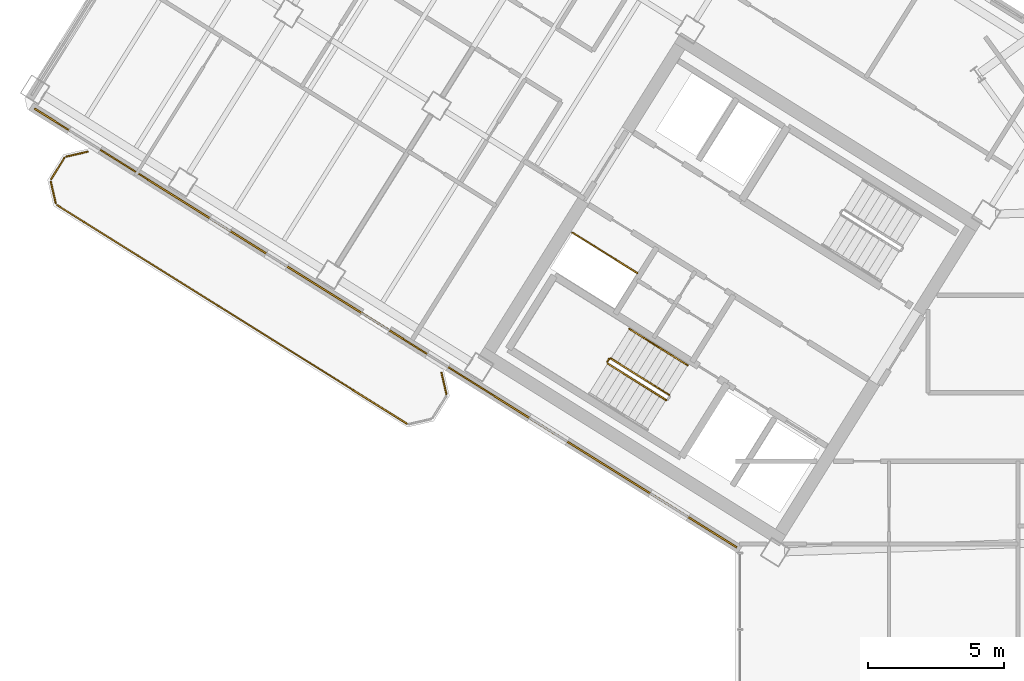
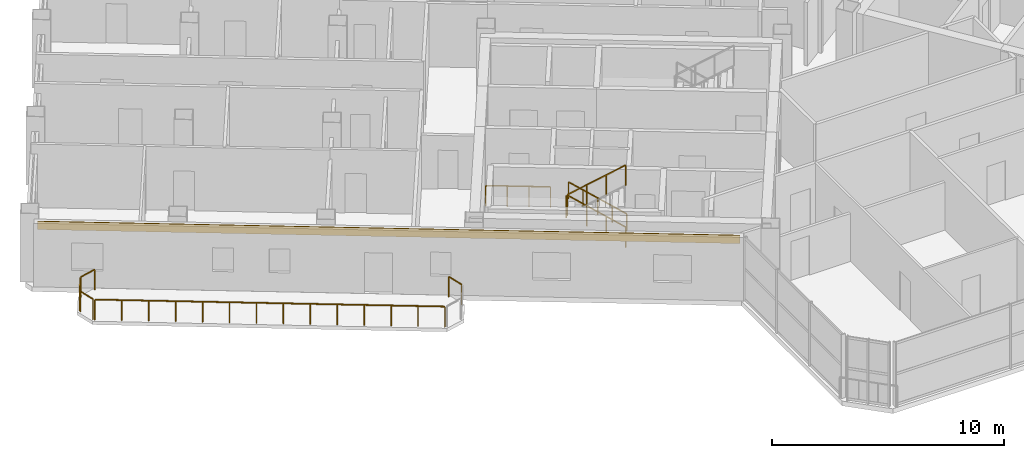
# One storey, part 18 of 21: 11 railings, 1 covering.
"""IFC4 building model written with IfcOpenShell, lengths in metres."""

import ifcopenshell
import ifcopenshell.guid

model = None  # the IFC model being written
_history = None  # IfcOwnerHistory: only IFC2X3 demands one
_inside = {}  # id of a spatial element -> (the spatial element, [elements in it])
_under = {}  # id of a project, library or spatial element -> (it, [spatial elements below it])
_declared = {}  # id of a project -> (the project, [libraries it declares])
_typed = {}  # id of a type object -> (the type object, [elements of that type])
_made_of = {}  # id of a material, layer set ... -> (it, [elements and type objects made of it])


def new_model(schema):
    """Start an empty IFC model of exactly this schema.

    Asked for "IFC4X3", IfcOpenShell would pick the latest addendum, in which some entities
    have other attributes; the version numbers below select the first issue.
    IFC2X3 requires an IfcOwnerHistory on every rooted entity: one is made here for all.
    """
    global model, _history
    if schema == "IFC4X3":
        model = ifcopenshell.file(schema_version=(4, 3, 0, 0))
    else:
        model = ifcopenshell.file(schema=schema)
    _inside.clear()
    _under.clear()
    _declared.clear()
    _typed.clear()
    _made_of.clear()
    _history = None
    if model.schema == "IFC2X3":
        org = make("IfcOrganization", Name="unknown")
        user = make(
            "IfcPersonAndOrganization",
            ThePerson=make("IfcPerson", FamilyName="unknown"),
            TheOrganization=org,
        )
        app = make(
            "IfcApplication",
            ApplicationDeveloper=org,
            Version="unknown",
            ApplicationFullName="unknown",
            ApplicationIdentifier="unknown",
        )
        _history = make(
            "IfcOwnerHistory",
            OwningUser=user,
            OwningApplication=app,
            ChangeAction="ADDED",
            CreationDate=0,
        )
    return model


def make(cls, **values):
    """One entity of the class cls with the attributes given. An attribute that is None is left unset."""
    return model.create_entity(
        cls, **{name: value for name, value in values.items() if value is not None}
    )


def rooted(cls, **values):
    """An entity with a GlobalId (a new one), such as an element, a storey or a relation."""
    return make(cls, GlobalId=ifcopenshell.guid.new(), OwnerHistory=_history, **values)


def si_unit(unit_type, name, prefix=None):
    """IfcSIUnit, for example si_unit("LENGTHUNIT", "METRE", prefix="MILLI")."""
    return make("IfcSIUnit", UnitType=unit_type, Prefix=prefix, Name=name)


def assignment(units):
    """IfcUnitAssignment: the units of a project."""
    return None if units is None else make("IfcUnitAssignment", Units=units)


def point(xyz):
    """IfcCartesianPoint."""
    return None if xyz is None else make("IfcCartesianPoint", Coordinates=xyz)


def direction(xyz):
    """IfcDirection."""
    return None if xyz is None else make("IfcDirection", DirectionRatios=xyz)


def frame(location, z_axis=None, x_axis=None):
    """IfcAxis2Placement3D, a coordinate frame: its origin and axes. An axis left out is left unset."""
    return make(
        "IfcAxis2Placement3D",
        Location=point(location),
        Axis=direction(z_axis),
        RefDirection=direction(x_axis),
    )


def frame_2d(location, x_axis=None):
    """IfcAxis2Placement2D, a coordinate frame in the plane: its origin and x axis."""
    return make(
        "IfcAxis2Placement2D", Location=point(location), RefDirection=direction(x_axis)
    )


def origin():
    """The frame at (0, 0, 0) with its axes left unset."""
    return frame((0.0, 0.0, 0.0))


def origin_2d():
    """The frame at (0, 0) in the plane with its x axis left unset."""
    return frame_2d((0.0, 0.0))


def place(relative_to, where):
    """IfcLocalPlacement: puts the frame where relative to a parent placement (None: the world)."""
    return make(
        "IfcLocalPlacement", PlacementRelTo=relative_to, RelativePlacement=where
    )


def context(
    kind, dimensions, precision=None, world=None, true_north=None, identifier=None
):
    """IfcGeometricRepresentationContext, for example the 3D "Model" context."""
    return make(
        "IfcGeometricRepresentationContext",
        ContextIdentifier=identifier,
        ContextType=kind,
        CoordinateSpaceDimension=dimensions,
        Precision=precision,
        WorldCoordinateSystem=world,
        TrueNorth=true_north,
    )


def subcontext(parent, identifier, kind, view, scale=None):
    """IfcGeometricRepresentationSubContext, for example "Body" below "Model"."""
    return make(
        "IfcGeometricRepresentationSubContext",
        ContextIdentifier=identifier,
        ContextType=kind,
        ParentContext=parent,
        TargetScale=scale,
        TargetView=view,
    )


def project(units=None, contexts=None):
    """IfcProject with its units and contexts."""
    return rooted(
        "IfcProject",
        Name="project",
        RepresentationContexts=contexts,
        UnitsInContext=assignment(units),
    )


def spatial(cls, under=None, at=None, **own):
    """A site, building, storey or space (cls), placed at a placement, below another one or the project."""
    s = rooted(cls, ObjectPlacement=at, **own)
    if under is not None:
        _under.setdefault(under.id(), (under, []))[1].append(s)
    return s


def profile(cls, at=None, kind="AREA", **sizes):
    """A parametric profile (cls). Its sizes go by their IFC names, for example OverallWidth=200.0."""
    return make(cls, ProfileType=kind, Position=at, **sizes)


def rectangle(**sizes):
    """IfcRectangleProfileDef."""
    return profile("IfcRectangleProfileDef", **sizes)


def extrude(swept, where, along, depth):
    """IfcExtrudedAreaSolid: the profile swept, set in the frame where, extruded along a direction by depth."""
    return make(
        "IfcExtrudedAreaSolid",
        SweptArea=swept,
        Position=where,
        ExtrudedDirection=direction(along),
        Depth=depth,
    )


def shape(context_of_items, identifier, shape_type, items):
    """IfcShapeRepresentation: the items that make up one representation, for example the "Body"."""
    return make(
        "IfcShapeRepresentation",
        ContextOfItems=context_of_items,
        RepresentationIdentifier=identifier,
        RepresentationType=shape_type,
        Items=items,
    )


def source(mapping_origin, context_of_items, identifier, shape_type, items):
    """IfcRepresentationMap: a shape defined once, which mapped items show again and again."""
    return make(
        "IfcRepresentationMap",
        MappingOrigin=mapping_origin,
        MappedRepresentation=shape(context_of_items, identifier, shape_type, items),
    )


def transform(
    local_origin,
    x_axis=None,
    y_axis=None,
    z_axis=None,
    scale=None,
    scale2=None,
    scale3=None,
    uniform=True,
):
    """IfcCartesianTransformationOperator3D, or its non-uniform kind. x_axis, y_axis, z_axis: its Axis1, 2, 3."""
    if uniform:
        return make(
            "IfcCartesianTransformationOperator3D",
            Axis1=direction(x_axis),
            Axis2=direction(y_axis),
            LocalOrigin=point(local_origin),
            Scale=scale,
            Axis3=direction(z_axis),
        )
    return make(
        "IfcCartesianTransformationOperator3DnonUniform",
        Axis1=direction(x_axis),
        Axis2=direction(y_axis),
        LocalOrigin=point(local_origin),
        Scale=scale,
        Axis3=direction(z_axis),
        Scale2=scale2,
        Scale3=scale3,
    )


def mapped(mapping_source, mapping_target):
    """IfcMappedItem: shows the shape of a source again, moved by a transform."""
    return make(
        "IfcMappedItem", MappingSource=mapping_source, MappingTarget=mapping_target
    )


def material(Name=None, Category=None):
    """IfcMaterial."""
    return make("IfcMaterial", Name=Name, Category=Category)


def layer(
    of_material, thickness, ventilated=None, Name=None, Category=None, Priority=None
):
    """IfcMaterialLayer: one layer of a wall or slab, of a material (None: an air gap)."""
    return make(
        "IfcMaterialLayer",
        Material=of_material,
        LayerThickness=thickness,
        IsVentilated=ventilated,
        Name=Name,
        Category=Category,
        Priority=Priority,
    )


def layer_set(layers, Name=None):
    """IfcMaterialLayerSet."""
    return make("IfcMaterialLayerSet", MaterialLayers=layers, LayerSetName=Name)


def made_of(thing, what):
    """Note that an element or type object is made of a material, layer set ...; save() writes the relation."""
    if what is not None:
        _made_of.setdefault(what.id(), (what, []))[1].append(thing)
    return thing


def type_object(cls, material=None, **own):
    """A type object (cls), such as IfcWallType, which elements share."""
    return made_of(rooted(cls, **own), material)


def element(
    cls,
    number,
    at=None,
    inside=None,
    cuts=None,
    type_object=None,
    material=None,
    context=None,
    identifier="Body",
    shape_type=None,
    held_by="IfcProductDefinitionShape",
    body=None,
    shapes=None,
    **own,
):
    """One element of the class cls, such as IfcWall. Its Tag is "e" and its number.

    at: its placement. inside: the storey or other place that contains it. cuts: it is an
    opening in that element (IfcRelVoidsElement). A single representation is given by context,
    identifier, shape_type and body (its items); several are given by shapes. held_by: the class
    of the entity that holds the representations. save() writes the other relations.
    """
    e = rooted(cls, Tag="e%d" % number, ObjectPlacement=at, **own)
    if body is not None:
        shapes = [shape(context, identifier, shape_type, body)]
    if shapes is not None:
        e.Representation = make(held_by, Representations=shapes)
    if inside is not None:
        _inside.setdefault(inside.id(), (inside, []))[1].append(e)
    if cuts is not None:
        rooted(
            "IfcRelVoidsElement", RelatingBuildingElement=cuts, RelatedOpeningElement=e
        )
    if type_object is not None:
        _typed.setdefault(type_object.id(), (type_object, []))[1].append(e)
    return made_of(e, material)


def aggregate(whole, parts):
    """IfcRelAggregates: a whole, such as a stair, and the parts it consists of."""
    return rooted("IfcRelAggregates", RelatingObject=whole, RelatedObjects=parts)


def save(model, path):
    """Write the relations noted so far, then the file.

    IfcRelAggregates (storeys below a building ...), IfcRelContainedInSpatialStructure (elements
    in a storey), IfcRelDefinesByType, IfcRelAssociatesMaterial and IfcRelDeclares: one each for
    every whole, place, type object, material and project.
    """
    for whole, parts in _under.values():
        aggregate(whole, parts)
    for where, things in _inside.values():
        rooted(
            "IfcRelContainedInSpatialStructure",
            RelatedElements=things,
            RelatingStructure=where,
        )
    for kind, things in _typed.values():
        rooted("IfcRelDefinesByType", RelatedObjects=things, RelatingType=kind)
    for what, things in _made_of.values():
        rooted("IfcRelAssociatesMaterial", RelatedObjects=things, RelatingMaterial=what)
    for by, libraries in _declared.values():
        rooted("IfcRelDeclares", RelatingContext=by, RelatedDefinitions=libraries)
    model.write(path)


model = new_model("IFC4")

# Units and contexts
model_context = context("Model", 3, precision=1e-05, world=origin(), true_north=direction((0.0, 1.0)))
body_context = subcontext(model_context, "Body", "Model", "MODEL_VIEW")
ifc_project = project(units=[si_unit("LENGTHUNIT", "METRE"), si_unit("AREAUNIT", "SQUARE_METRE"), si_unit("VOLUMEUNIT", "CUBIC_METRE"), si_unit("PLANEANGLEUNIT", "RADIAN"), si_unit("MASSUNIT", "GRAM", prefix="KILO")], contexts=[model_context])

# Site, building, storey
site_placement = place(None, origin())
site = spatial("IfcSite", under=ifc_project, at=site_placement, CompositionType="ELEMENT")
building_placement = place(site_placement, origin())
building = spatial("IfcBuilding", under=site, at=building_placement, Name="Tlacorven Tower", CompositionType="ELEMENT")
storey_placement = place(building_placement, frame((0.0, 0.0, 222.0)))
storey = spatial("IfcBuildingStorey", under=building, at=storey_placement, Name="L56", CompositionType="ELEMENT", Elevation=222.0)

# Railings
ifc_material_1 = material(Name="Aluminium and painted steel balustrade", Category="steel")
railing_type_1 = type_object("IfcRailingType", Name="RL-GRD-1100", PredefinedType="GUARDRAIL", material=ifc_material_1)
shared_shape_1 = source(origin(), body_context, "Body", "SweptSolid", [
    extrude(rectangle(XDim=0.048095703125, YDim=0.048095703125, at=origin_2d()), frame((0.0, 0.0, 1.076171875), z_axis=(-0.848091358275, 0.529850024081, 0.0), x_axis=(-0.529850024081, -0.848091358275, 0.0)), (0.0, 0.0, 1.0), 2.800048828125),
    extrude(rectangle(XDim=0.0419921875, YDim=0.0419921875, at=origin_2d()), origin(), (0.0, 0.0, 1.0), 1.052001953125),
    extrude(rectangle(XDim=0.0419921875, YDim=0.0419921875, at=origin_2d()), frame((-0.79150390625, 0.49462890625, 0.0)), (0.0, 0.0, 1.0), 1.052001953125),
    extrude(rectangle(XDim=0.0419921875, YDim=0.0419921875, at=origin_2d()), frame((-1.583251953125, 0.989013671875, 0.0)), (0.0, 0.0, 1.0), 1.052001953125),
    extrude(rectangle(XDim=0.0419921875, YDim=0.0419921875, at=origin_2d()), frame((-2.374755859375, 1.483642578125, 0.0)), (0.0, 0.0, 1.0), 1.052001953125),
])
railing_1_placement = place(storey_placement, frame((27.9912109375, 22.32080078125, 0.0)))
element("IfcRailing", 1, at=railing_1_placement, inside=storey, type_object=railing_type_1, Name="L56 Electrical Riser W Shaft Guard 1", PredefinedType="GUARDRAIL", context=body_context, shape_type="MappedRepresentation", body=[
    mapped(shared_shape_1, transform((0.0, 0.0, 0.0), scale=1.0)),
])
railing_type_2 = type_object("IfcRailingType", Name="RL-BAL-1100", PredefinedType="BALUSTRADE", material=ifc_material_1)
shared_shape_2 = source(origin(), body_context, "Body", "SweptSolid", [
    extrude(rectangle(XDim=0.048095703125, YDim=0.048095703125, at=origin_2d()), frame((0.0, 0.0, 1.076171875), z_axis=(0.225058334816, -0.974345290916, 0.0), x_axis=(0.974345290916, 0.225058334816, 0.0)), (0.0, 0.0, 1.0), 0.80712890625),
    extrude(rectangle(XDim=0.0419921875, YDim=0.0419921875, at=origin_2d()), origin(), (0.0, 0.0, 1.0), 1.052001953125),
    extrude(rectangle(XDim=0.0419921875, YDim=0.0419921875, at=origin_2d()), frame((0.181640625, -0.786376953125, 0.0)), (0.0, 0.0, 1.0), 1.052001953125),
])
railing_2_placement = place(storey_placement, frame((20.809814453125, 18.671142578125, 0.0)))
element("IfcRailing", 2, at=railing_2_placement, inside=storey, type_object=railing_type_2, Name="BAL-L56-W-OUT Guard Railing 1", PredefinedType="BALUSTRADE", context=body_context, shape_type="MappedRepresentation", body=[
    mapped(shared_shape_2, transform((0.0, 0.0, 0.0), scale=1.0)),
])
shared_shape_3 = source(origin(), body_context, "Body", "SweptSolid", [
    extrude(rectangle(XDim=0.048095703125, YDim=0.048095703125, at=origin_2d()), frame((0.0, 0.0, 1.076171875), z_axis=(-0.225058334816, 0.974345290916, 0.0), x_axis=(-0.974345290916, -0.225058334816, 0.0)), (0.0, 0.0, 1.0), 0.80712890625),
    extrude(rectangle(XDim=0.0419921875, YDim=0.0419921875, at=origin_2d()), origin(), (0.0, 0.0, 1.0), 1.052001953125),
    extrude(rectangle(XDim=0.0419921875, YDim=0.0419921875, at=origin_2d()), frame((-0.181640625, 0.786376953125, 0.0)), (0.0, 0.0, 1.0), 1.052001953125),
])
railing_3_placement = place(storey_placement, frame((6.66650390625, 24.88623046875, 0.0)))
element("IfcRailing", 3, at=railing_3_placement, inside=storey, type_object=railing_type_2, Name="BAL-L56-W-OUT Guard Railing 5", PredefinedType="BALUSTRADE", context=body_context, shape_type="MappedRepresentation", body=[
    mapped(shared_shape_3, transform((0.0, 0.0, 0.0), scale=1.0)),
])
shared_shape_4 = source(origin(), body_context, "Body", "SweptSolid", [
    extrude(rectangle(XDim=0.048095703125, YDim=0.048095703125, at=origin_2d()), frame((0.0, 0.0, 1.076171875), z_axis=(0.974411586182, 0.224771129628, 0.0), x_axis=(-0.224771129628, 0.974411586182, 0.0)), (0.0, 0.0, 1.0), 0.80712890625),
    extrude(rectangle(XDim=0.0419921875, YDim=0.0419921875, at=origin_2d()), origin(), (0.0, 0.0, 1.0), 1.052001953125),
    extrude(rectangle(XDim=0.0419921875, YDim=0.0419921875, at=origin_2d()), frame((0.786376953125, 0.181396484375, 0.0)), (0.0, 0.0, 1.0), 1.052001953125),
])
railing_4_placement = place(storey_placement, frame((7.05859375, 26.591064453125, 0.0)))
element("IfcRailing", 4, at=railing_4_placement, inside=storey, type_object=railing_type_2, Name="BAL-L56-W-OUT Guard Railing 7", PredefinedType="BALUSTRADE", context=body_context, shape_type="MappedRepresentation", body=[
    mapped(shared_shape_4, transform((0.0, 0.0, 0.0), scale=1.0)),
])
shared_shape_5 = source(origin(), body_context, "Body", "SweptSolid", [
    extrude(rectangle(XDim=0.048095703125, YDim=0.048095703125, at=origin_2d()), frame((0.0, 0.0, 1.076171875), z_axis=(0.529998940003, 0.847998304005, 0.0), x_axis=(-0.847998304005, 0.529998940003, 0.0)), (0.0, 0.0, 1.0), 0.912109375),
    extrude(rectangle(XDim=0.0419921875, YDim=0.0419921875, at=origin_2d()), origin(), (0.0, 0.0, 1.0), 1.052001953125),
    extrude(rectangle(XDim=0.0419921875, YDim=0.0419921875, at=origin_2d()), frame((0.4833984375, 0.7734375, 0.0)), (0.0, 0.0, 1.0), 1.052001953125),
])
railing_5_placement = place(storey_placement, frame((6.5, 25.763916015625, 0.0)))
element("IfcRailing", 5, at=railing_5_placement, inside=storey, type_object=railing_type_2, Name="BAL-L56-W-OUT Guard Railing 6", PredefinedType="BALUSTRADE", context=body_context, shape_type="MappedRepresentation", body=[
    mapped(shared_shape_5, transform((0.0, 0.0, 0.0), scale=1.0)),
])

# Covering
ifc_material_2 = material(Name="Precast concrete C45/55", Category="concrete")
ifc_layer = layer(ifc_material_2, 0.06005859375)
ifc_layer_set = layer_set([ifc_layer], Name="Precast concrete C45/55")
covering_type = type_object("IfcCoveringType", Name="CV-CLD-TERC", PredefinedType="CLADDING", material=ifc_layer_set)
shared_shape_6 = source(origin(), body_context, "Body", "SweptSolid", [
    extrude(rectangle(XDim=30.35205078125, YDim=0.06005859375, at=origin_2d()), origin(), (0.0, 0.0, 1.0), 0.419921875),
])
covering_placement = place(storey_placement, frame((18.7626953125, 20.3046875, 2.929931640625), z_axis=(0.0, 0.0, 1.0), x_axis=(-0.848048152806, 0.529919173576, 0.0)))
element("IfcCovering", 6, at=covering_placement, inside=storey, type_object=covering_type, Name="L56 Masonry-Frame Spandrel Cladding 1", PredefinedType="CLADDING", context=body_context, shape_type="MappedRepresentation", body=[
    mapped(shared_shape_6, transform((0.0, 0.0, 0.0), scale=1.0)),
])

# Railings
shared_shape_7 = source(origin(), body_context, "Body", "SweptSolid", [
    extrude(rectangle(XDim=0.048095703125, YDim=0.048095703125, at=origin_2d()), frame((0.0, 0.0, 1.076171875), z_axis=(-0.848051830527, 0.529913287944, 0.0), x_axis=(-0.529913287944, -0.848051830527, 0.0)), (0.0, 0.0, 1.0), 15.1171875),
    extrude(rectangle(XDim=0.0419921875, YDim=0.0419921875, at=origin_2d()), origin(), (0.0, 0.0, 1.0), 1.052001953125),
    extrude(rectangle(XDim=0.0419921875, YDim=0.0419921875, at=origin_2d()), frame((-0.986083984375, 0.6162109375, 0.0)), (0.0, 0.0, 1.0), 1.052001953125),
    extrude(rectangle(XDim=0.0419921875, YDim=0.0419921875, at=origin_2d()), frame((-1.972412109375, 1.232421875, 0.0)), (0.0, 0.0, 1.0), 1.052001953125),
    extrude(rectangle(XDim=0.0419921875, YDim=0.0419921875, at=origin_2d()), frame((-2.95849609375, 1.8486328125, 0.0)), (0.0, 0.0, 1.0), 1.052001953125),
    extrude(rectangle(XDim=0.0419921875, YDim=0.0419921875, at=origin_2d()), frame((-3.944580078125, 2.46484375, 0.0)), (0.0, 0.0, 1.0), 1.052001953125),
    extrude(rectangle(XDim=0.0419921875, YDim=0.0419921875, at=origin_2d()), frame((-4.930908203125, 3.0810546875, 0.0)), (0.0, 0.0, 1.0), 1.052001953125),
    extrude(rectangle(XDim=0.0419921875, YDim=0.0419921875, at=origin_2d()), frame((-5.9169921875, 3.697265625, 0.0)), (0.0, 0.0, 1.0), 1.052001953125),
    extrude(rectangle(XDim=0.0419921875, YDim=0.0419921875, at=origin_2d()), frame((-6.903076171875, 4.3134765625, 0.0)), (0.0, 0.0, 1.0), 1.052001953125),
    extrude(rectangle(XDim=0.0419921875, YDim=0.0419921875, at=origin_2d()), frame((-7.88916015625, 4.9296875, 0.0)), (0.0, 0.0, 1.0), 1.052001953125),
    extrude(rectangle(XDim=0.0419921875, YDim=0.0419921875, at=origin_2d()), frame((-8.87548828125, 5.5458984375, 0.0)), (0.0, 0.0, 1.0), 1.052001953125),
    extrude(rectangle(XDim=0.0419921875, YDim=0.0419921875, at=origin_2d()), frame((-9.861572265625, 6.162109375, 0.0)), (0.0, 0.0, 1.0), 1.052001953125),
    extrude(rectangle(XDim=0.0419921875, YDim=0.0419921875, at=origin_2d()), frame((-10.84765625, 6.7783203125, 0.0)), (0.0, 0.0, 1.0), 1.052001953125),
    extrude(rectangle(XDim=0.0419921875, YDim=0.0419921875, at=origin_2d()), frame((-11.833984375, 7.39453125, 0.0)), (0.0, 0.0, 1.0), 1.052001953125),
    extrude(rectangle(XDim=0.0419921875, YDim=0.0419921875, at=origin_2d()), frame((-12.820068359375, 8.0107421875, 0.0)), (0.0, 0.0, 1.0), 1.052001953125),
])
railing_6_placement = place(storey_placement, frame((19.5400390625, 16.80029296875, 0.0)))
element("IfcRailing", 7, at=railing_6_placement, inside=storey, type_object=railing_type_2, Name="BAL-L56-W-OUT Guard Railing 4", PredefinedType="BALUSTRADE", context=body_context, shape_type="MappedRepresentation", body=[
    mapped(shared_shape_7, transform((0.0, 0.0, 0.0), scale=1.0)),
])
shared_shape_8 = source(origin(), body_context, "Body", "SweptSolid", [
    extrude(rectangle(XDim=0.048095703125, YDim=0.048095703125, at=origin_2d()), frame((0.0, 0.0, 1.076171875), z_axis=(-0.713319727316, 0.445773895627, 0.540796265334), x_axis=(-0.529955395941, -0.84802551749, 0.0)), (0.0, 0.0, 1.0), 2.995849609375),
    extrude(rectangle(XDim=0.0419921875, YDim=0.0419921875, at=origin_2d()), origin(), (0.0, 0.0, 1.0), 1.052001953125),
    extrude(rectangle(XDim=0.0419921875, YDim=0.0419921875, at=origin_2d()), frame((-0.71240234375, 0.445068359375, 0.5400390625)), (0.0, 0.0, 1.0), 1.052001953125),
    extrude(rectangle(XDim=0.0419921875, YDim=0.0419921875, at=origin_2d()), frame((-1.424560546875, 0.890380859375, 1.080078125)), (0.0, 0.0, 1.0), 1.052001953125),
    extrude(rectangle(XDim=0.0419921875, YDim=0.0419921875, at=origin_2d()), frame((-2.136962890625, 1.33544921875, 1.6201171875)), (0.0, 0.0, 1.0), 1.052001953125),
])
railing_7_placement = place(storey_placement, frame((29.16064453125, 17.851806640625, 0.179931640625)))
element("IfcRailing", 8, at=railing_7_placement, inside=storey, type_object=railing_type_1, Name="L56 ST-W1 stair guard 1", PredefinedType="GUARDRAIL", context=body_context, shape_type="MappedRepresentation", body=[
    mapped(shared_shape_8, transform((0.0, 0.0, 0.0), scale=1.0)),
])
shared_shape_9 = source(origin(), body_context, "Body", "SweptSolid", [
    extrude(rectangle(XDim=0.048095703125, YDim=0.048095703125, at=origin_2d()), frame((0.0, 0.0, 1.076171875), z_axis=(-0.530546985787, -0.847655529016, 0.0), x_axis=(0.847655529016, -0.530546985787, 0.0)), (0.0, 0.0, 1.0), 0.1201171875),
    extrude(rectangle(XDim=0.0419921875, YDim=0.0419921875, at=origin_2d()), origin(), (0.0, 0.0, 1.0), 1.052001953125),
    extrude(rectangle(XDim=0.0419921875, YDim=0.0419921875, at=origin_2d()), frame((-0.063720703125, -0.101806640625, 0.0)), (0.0, 0.0, 1.0), 1.052001953125),
])
railing_8_placement = place(storey_placement, frame((26.954833984375, 19.17138671875, 1.800048828125)))
element("IfcRailing", 9, at=railing_8_placement, inside=storey, type_object=railing_type_1, Name="L56 ST-W1 stair guard 2", PredefinedType="GUARDRAIL", context=body_context, shape_type="MappedRepresentation", body=[
    mapped(shared_shape_9, transform((0.0, 0.0, 0.0), scale=1.0)),
])
shared_shape_10 = source(origin(), body_context, "Body", "SweptSolid", [
    extrude(rectangle(XDim=0.048095703125, YDim=0.048095703125, at=origin_2d()), frame((0.0, 0.0, 1.076171875), z_axis=(0.713359751793, -0.4457479829, 0.540764828981), x_axis=(0.529911857636, 0.848052724267, 0.0)), (0.0, 0.0, 1.0), 2.99609375),
    extrude(rectangle(XDim=0.0419921875, YDim=0.0419921875, at=origin_2d()), origin(), (0.0, 0.0, 1.0), 1.052001953125),
    extrude(rectangle(XDim=0.0419921875, YDim=0.0419921875, at=origin_2d()), frame((0.71240234375, -0.445068359375, 0.5400390625)), (0.0, 0.0, 1.0), 1.052001953125),
    extrude(rectangle(XDim=0.0419921875, YDim=0.0419921875, at=origin_2d()), frame((1.4248046875, -0.890380859375, 1.080078125)), (0.0, 0.0, 1.0), 1.052001953125),
    extrude(rectangle(XDim=0.0419921875, YDim=0.0419921875, at=origin_2d()), frame((2.13720703125, -1.33544921875, 1.6201171875)), (0.0, 0.0, 1.0), 1.052001953125),
])
railing_9_placement = place(storey_placement, frame((26.906982421875, 19.000732421875, 1.97998046875)))
element("IfcRailing", 10, at=railing_9_placement, inside=storey, type_object=railing_type_1, Name="L56 ST-W1 stair guard 3", PredefinedType="GUARDRAIL", context=body_context, shape_type="MappedRepresentation", body=[
    mapped(shared_shape_10, transform((0.0, 0.0, 0.0), scale=1.0)),
])
railing_type_3 = type_object("IfcRailingType", Name="RL-HND-0900", PredefinedType="HANDRAIL", material=ifc_material_1)
shared_shape_11 = source(origin(), body_context, "Body", "SweptSolid", [
    extrude(rectangle(XDim=0.048095703125, YDim=0.048095703125, at=origin_2d()), frame((0.0, 0.0, 0.8759765625), z_axis=(-0.713359751793, 0.4457479829, 0.540764828981), x_axis=(-0.529911857636, -0.848052724267, 0.0)), (0.0, 0.0, 1.0), 1.498046875),
    extrude(rectangle(XDim=0.0419921875, YDim=0.0419921875, at=origin_2d()), origin(), (0.0, 0.0, 1.0), 0.851806640625),
    extrude(rectangle(XDim=0.0419921875, YDim=0.0419921875, at=origin_2d()), frame((-0.5341796875, 0.333984375, 0.405029296875)), (0.0, 0.0, 1.0), 0.851806640625),
    extrude(rectangle(XDim=0.0419921875, YDim=0.0419921875, at=origin_2d()), frame((-1.068603515625, 0.667724609375, 0.81005859375)), (0.0, 0.0, 1.0), 0.851806640625),
])
for number, where, name in (
    (11, (29.839111328125, 18.937255859375, 0.179931640625), "L56 ST-W1 stair handrail 1"),
    (12, (28.7705078125, 19.60498046875, 0.989990234375), "L56 ST-W1 stair handrail 2"),
):
    element("IfcRailing", number, at=place(storey_placement, frame(where)), inside=storey, type_object=railing_type_3, Name=name, PredefinedType="HANDRAIL", context=body_context, shape_type="MappedRepresentation", body=[
        mapped(shared_shape_11, transform((0.0, 0.0, 0.0), scale=1.0)),
    ])

save(model, "model.ifc")
